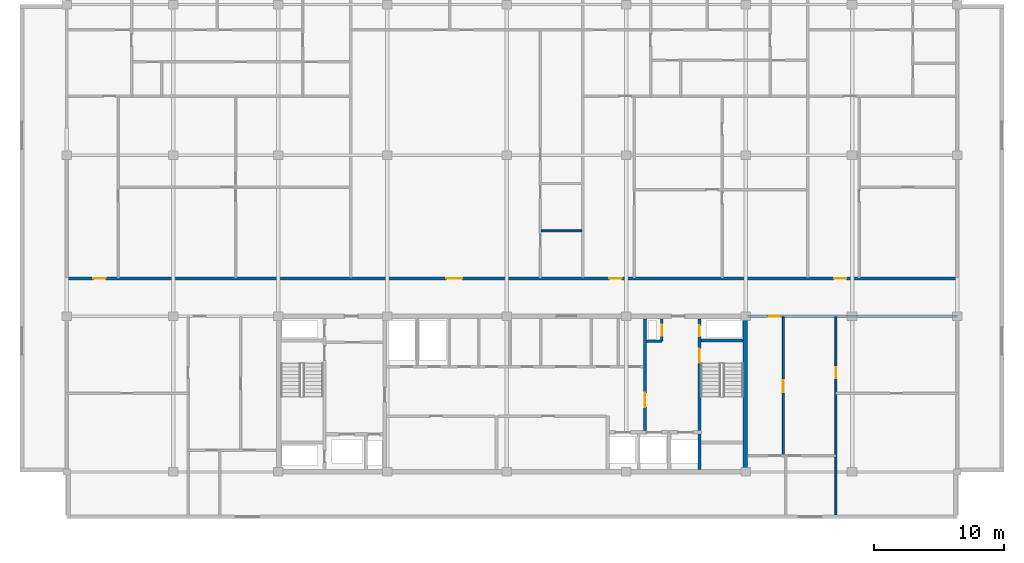
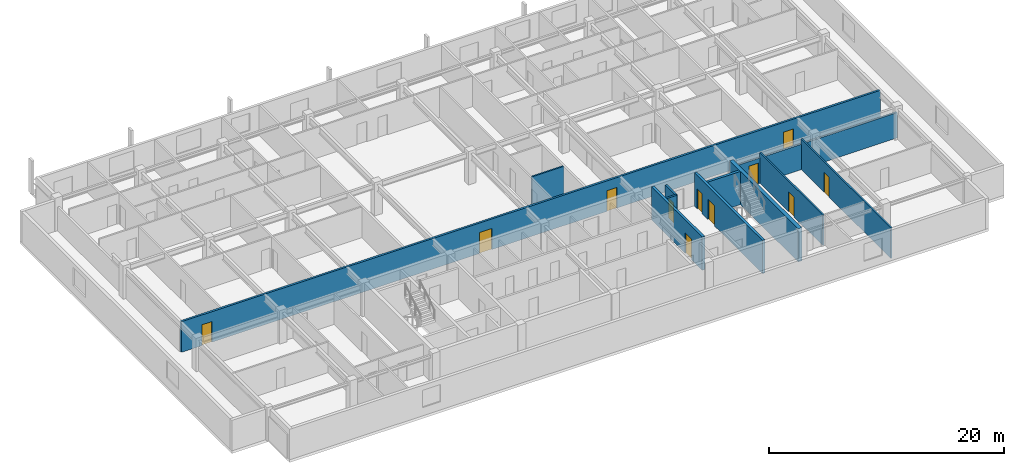
# One storey, part 5 of 10: 11 doors, 11 walls, 11 openings.
"""IFC4 building model written with IfcOpenShell, lengths in metres."""

from ifc_helpers import new_model, si_unit, direction, frame, frame_2d, origin, place, context, subcontext, project, spatial, rectangle, extrude, material, layer, layer_set, type_object, element, fill, save


model = new_model("IFC4")

# Units and contexts
model_context = context("Model", 3, precision=1e-05, world=origin(), true_north=direction((0.0, 1.0)))
body_context = subcontext(model_context, "Body", "Model", "MODEL_VIEW")
ifc_project = project(units=[si_unit("LENGTHUNIT", "METRE"), si_unit("AREAUNIT", "SQUARE_METRE"), si_unit("VOLUMEUNIT", "CUBIC_METRE"), si_unit("PLANEANGLEUNIT", "RADIAN"), si_unit("MASSUNIT", "GRAM", prefix="KILO")], contexts=[model_context])

# Site, building, storey
site_placement = place(None, origin())
site = spatial("IfcSite", under=ifc_project, at=site_placement, CompositionType="ELEMENT")
building_placement = place(site_placement, origin())
building = spatial("IfcBuilding", under=site, at=building_placement, Name="Korimba Cascade Residences", CompositionType="ELEMENT")
storey_placement = place(building_placement, frame((0.0, 0.0, 232.10009765625)))
storey = spatial("IfcBuildingStorey", under=building, at=storey_placement, Name="L67", CompositionType="ELEMENT", Elevation=232.10009765625)

# Wall
ifc_material_1 = material(Name="Concrete C65/80", Category="concrete")
ifc_layer_1 = layer(ifc_material_1, 0.35009765625)
ifc_layer_set_1 = layer_set([ifc_layer_1], Name="Concrete C65/80")
wall_type_1 = type_object("IfcWallType", Name="WAL-CORE-350", PredefinedType="SHEAR", material=ifc_layer_set_1)
wall_1_placement = place(storey_placement, frame((112.074951171875, 55.375, 0.0), z_axis=(0.0, 0.0, 1.0), x_axis=(0.0, 1.0, 0.0)))
element("IfcWall", 1, at=wall_1_placement, inside=storey, type_object=wall_type_1, Name="L67 Core Shear Wall CW-L67-T1-E", PredefinedType="SHEAR", context=body_context, shape_type="SweptSolid", body=[
    extrude(rectangle(XDim=11.64990234375, YDim=0.35009765625, at=frame_2d((5.824951171875, 0.0))), origin(), (0.0, 0.0, 1.0), 3.449951171875),
])

# Wall, opening, door
ifc_material_2 = material(Name="Precast concrete C40/50", Category="concrete")
ifc_layer_2 = layer(ifc_material_2, 0.199951171875)
ifc_layer_set_2 = layer_set([ifc_layer_2], Name="Precast concrete C40/50")
wall_type_2 = type_object("IfcWallType", Name="WAL-IT-200", PredefinedType="PARTITIONING", material=ifc_layer_set_2)
wall_2_placement = place(storey_placement, frame((112.25, 67.199951171875, 0.0), z_axis=(0.0, 0.0, 1.0), x_axis=(1.0, 0.0, 0.0)))
wall_2 = element("IfcWall", 2, at=wall_2_placement, inside=storey, type_object=wall_type_2, Name="L67 Partition Wall WAL-L67-T1-FE-N", PredefinedType="PARTITIONING", context=body_context, shape_type="SweptSolid", body=[
    extrude(rectangle(XDim=16.14990234375, YDim=0.199951171875, at=frame_2d((8.074951171875, 0.0))), origin(), (0.0, 0.0, 1.0), 2.63330078125),
])
opening_1_placement = place(wall_2_placement, frame((1.580078125, 0.0, 0.0)))
opening_1 = element("IfcOpeningElement", 3, at=opening_1_placement, cuts=wall_2, Name="Opening D-UN1", PredefinedType="OPENING", context=body_context, shape_type="SweptSolid", body=[
    extrude(rectangle(XDim=0.949951171875, YDim=2.14990234375, at=frame_2d((0.47509765625, 1.074951171875))), frame((0.0, 0.10986328125, 0.0), z_axis=(0.0, -1.0, 0.0), x_axis=(1.0, 0.0, 0.0)), (0.0, 0.0, 1.0), 0.219970703125),
])
ifc_material_3 = material(Name="Fire-Rated Hardwood Apartment Entrance Door", Category="wood")
door_type_1 = type_object("IfcDoorType", Name="DR-FD60-950", OperationType="NOTDEFINED", PredefinedType="DOOR", material=ifc_material_3)
door_1_placement = place(opening_1_placement, origin())
door_1 = element("IfcDoor", 4, at=door_1_placement, inside=storey, type_object=door_type_1, Name="L67-T1-FE Entrance Door", OperationType="SINGLE_SWING_LEFT", OverallHeight=2.14990234375, OverallWidth=0.949951171875, PredefinedType="DOOR", context=body_context, shape_type="SweptSolid", body=[
    extrude(rectangle(XDim=0.949951171875, YDim=2.14990234375, at=frame_2d((0.47509765625, 1.074951171875))), frame((0.0, 0.02490234375, 0.0), z_axis=(0.0, -1.0, 0.0), x_axis=(1.0, 0.0, 0.0)), (0.0, 0.0, 1.0), 0.050048828125),
])
fill(opening_1, door_1)

# Wall, openings, doors
wall_3_placement = place(storey_placement, frame((59.800048828125, 70.10009765625, 0.0), z_axis=(0.0, 0.0, 1.0), x_axis=(1.0, 0.0, 0.0)))
wall_3 = element("IfcWall", 5, at=wall_3_placement, inside=storey, type_object=wall_type_2, Name="L67 Partition Wall WAL-L67-T1-CORN", PredefinedType="PARTITIONING", context=body_context, shape_type="SweptSolid", body=[
    extrude(rectangle(XDim=68.599853515625, YDim=0.199951171875, at=frame_2d((34.2998046875, 0.0))), origin(), (0.0, 0.0, 1.0), 3.169921875),
])
opening_2_placement = place(wall_3_placement, frame((2.044921875, 0.0, 0.0)))
opening_2 = element("IfcOpeningElement", 6, at=opening_2_placement, cuts=wall_3, Name="Opening D-UN1", PredefinedType="OPENING", context=body_context, shape_type="SweptSolid", body=[
    extrude(rectangle(XDim=0.949951171875, YDim=2.14990234375, at=frame_2d((0.47509765625, 1.074951171875))), frame((0.0, 0.10986328125, 0.0), z_axis=(0.0, -1.0, 0.0), x_axis=(1.0, 0.0, 0.0)), (0.0, 0.0, 1.0), 0.219970703125),
])
opening_3_placement = place(wall_3_placement, frame((29.246337890625, 0.0, 0.0)))
opening_3 = element("IfcOpeningElement", 7, at=opening_3_placement, cuts=wall_3, Name="Opening D-AM1", PredefinedType="OPENING", context=body_context, shape_type="SweptSolid", body=[
    extrude(rectangle(XDim=1.219970703125, YDim=2.179931640625, at=frame_2d((0.60986328125, 1.08984375))), frame((0.0, 0.10986328125, 0.0), z_axis=(0.0, -1.0, 0.0), x_axis=(1.0, 0.0, 0.0)), (0.0, 0.0, 1.0), 0.219970703125),
])
opening_4_placement = place(wall_3_placement, frame((41.800537109375, 0.0, 0.0)))
opening_4 = element("IfcOpeningElement", 8, at=opening_4_placement, cuts=wall_3, Name="Opening D-UN1", PredefinedType="OPENING", context=body_context, shape_type="SweptSolid", body=[
    extrude(rectangle(XDim=0.949951171875, YDim=2.14990234375, at=frame_2d((0.47509765625, 1.074951171875))), frame((0.0, 0.10986328125, 0.0), z_axis=(0.0, -1.0, 0.0), x_axis=(1.0, 0.0, 0.0)), (0.0, 0.0, 1.0), 0.219970703125),
])
opening_5_placement = place(wall_3_placement, frame((59.114501953125, 0.0, 0.0)))
opening_5 = element("IfcOpeningElement", 9, at=opening_5_placement, cuts=wall_3, Name="Opening D-UN1", PredefinedType="OPENING", context=body_context, shape_type="SweptSolid", body=[
    extrude(rectangle(XDim=0.949951171875, YDim=2.14990234375, at=frame_2d((0.47509765625, 1.074951171875))), frame((0.0, 0.10986328125, 0.0), z_axis=(0.0, -1.0, 0.0), x_axis=(1.0, 0.0, 0.0)), (0.0, 0.0, 1.0), 0.219970703125),
])
ifc_material_4 = material(Name="Fire-Rated Glazed Timber Suite Door", Category="wood")
door_type_2 = type_object("IfcDoorType", Name="DR-FD60-1200", OperationType="NOTDEFINED", PredefinedType="DOOR", material=ifc_material_4)
door_2_placement = place(opening_3_placement, origin())
door_2 = element("IfcDoor", 10, at=door_2_placement, inside=storey, type_object=door_type_2, Name="L67-T1-U02 Resident Conference Room Door", OperationType="SINGLE_SWING_LEFT", OverallHeight=2.179931640625, OverallWidth=1.219970703125, PredefinedType="DOOR", context=body_context, shape_type="SweptSolid", body=[
    extrude(rectangle(XDim=1.219970703125, YDim=2.179931640625, at=frame_2d((0.60986328125, 1.08984375))), frame((0.0, 0.02490234375, 0.0), z_axis=(0.0, -1.0, 0.0), x_axis=(1.0, 0.0, 0.0)), (0.0, 0.0, 1.0), 0.050048828125),
])
fill(opening_3, door_2)
door_3_placement = place(opening_2_placement, origin())
door_3 = element("IfcDoor", 11, at=door_3_placement, inside=storey, type_object=door_type_1, Name="Unit L67-T1-U01 Entrance Door", OperationType="SINGLE_SWING_RIGHT", OverallHeight=2.14990234375, OverallWidth=0.949951171875, PredefinedType="DOOR", context=body_context, shape_type="SweptSolid", body=[
    extrude(rectangle(XDim=0.949951171875, YDim=2.14990234375, at=frame_2d((0.47509765625, 1.074951171875))), frame((0.0, 0.02490234375, 0.0), z_axis=(0.0, -1.0, 0.0), x_axis=(1.0, 0.0, 0.0)), (0.0, 0.0, 1.0), 0.050048828125),
])
fill(opening_2, door_3)
door_4_placement = place(opening_4_placement, origin())
door_4 = element("IfcDoor", 12, at=door_4_placement, inside=storey, type_object=door_type_1, Name="Unit L67-T1-U03 Entrance Door", OperationType="SINGLE_SWING_RIGHT", OverallHeight=2.14990234375, OverallWidth=0.949951171875, PredefinedType="DOOR", context=body_context, shape_type="SweptSolid", body=[
    extrude(rectangle(XDim=0.949951171875, YDim=2.14990234375, at=frame_2d((0.47509765625, 1.074951171875))), frame((0.0, 0.02490234375, 0.0), z_axis=(0.0, -1.0, 0.0), x_axis=(1.0, 0.0, 0.0)), (0.0, 0.0, 1.0), 0.050048828125),
])
fill(opening_4, door_4)
door_5_placement = place(opening_5_placement, origin())
door_5 = element("IfcDoor", 13, at=door_5_placement, inside=storey, type_object=door_type_1, Name="Unit L67-T1-U04 Entrance Door", OperationType="SINGLE_SWING_LEFT", OverallHeight=2.14990234375, OverallWidth=0.949951171875, PredefinedType="DOOR", context=body_context, shape_type="SweptSolid", body=[
    extrude(rectangle(XDim=0.949951171875, YDim=2.14990234375, at=frame_2d((0.47509765625, 1.074951171875))), frame((0.0, 0.02490234375, 0.0), z_axis=(0.0, -1.0, 0.0), x_axis=(1.0, 0.0, 0.0)), (0.0, 0.0, 1.0), 0.050048828125),
])
fill(opening_5, door_5)

# Wall, opening, door
ifc_material_5 = material(Name="Insulated Acoustic Stud Partition", Category="gypsum")
ifc_layer_3 = layer(ifc_material_5, 0.14990234375)
ifc_layer_set_3 = layer_set([ifc_layer_3], Name="Insulated Acoustic Stud Partition")
wall_type_3 = type_object("IfcWallType", Name="WAL-PART-150", PredefinedType="PARTITIONING", material=ifc_layer_set_3)
wall_4_placement = place(storey_placement, frame((119.050048828125, 51.89990234375, 0.0), z_axis=(0.0, 0.0, 1.0), x_axis=(0.0, 1.0, 0.0)))
wall_4 = element("IfcWall", 14, at=wall_4_placement, inside=storey, type_object=wall_type_3, Name="L67 Partition Wall WAL-L67-T1-FE-STV", PredefinedType="PARTITIONING", context=body_context, shape_type="SweptSolid", body=[
    extrude(rectangle(XDim=15.25, YDim=0.14990234375, at=frame_2d((7.625, 0.0))), origin(), (0.0, 0.0, 1.0), 3.169921875),
])
opening_6_placement = place(wall_4_placement, frame((10.5, 0.0, 0.0)))
opening_6 = element("IfcOpeningElement", 15, at=opening_6_placement, cuts=wall_4, Name="Opening D-IN2", PredefinedType="OPENING", context=body_context, shape_type="SweptSolid", body=[
    extrude(rectangle(XDim=0.8798828125, YDim=2.06005859375, at=frame_2d((0.43994140625, 1.030029296875))), frame((0.0, 0.0849609375, 0.0), z_axis=(0.0, -1.0, 0.0), x_axis=(1.0, 0.0, 0.0)), (0.0, 0.0, 1.0), 0.169921875),
])
ifc_material_6 = material(Name="Acoustic Timber Bedroom Door", Category="wood")
door_type_3 = type_object("IfcDoorType", Name="DR-INT-880", OperationType="NOTDEFINED", PredefinedType="DOOR", material=ifc_material_6)
door_6_placement = place(opening_6_placement, origin())
door_6 = element("IfcDoor", 16, at=door_6_placement, inside=storey, type_object=door_type_3, Name="L67-T1-FE Study Door", OperationType="SINGLE_SWING_LEFT", OverallHeight=2.06005859375, OverallWidth=0.8798828125, PredefinedType="DOOR", context=body_context, shape_type="SweptSolid", body=[
    extrude(rectangle(XDim=0.8798828125, YDim=2.06005859375, at=frame_2d((0.43994140625, 1.030029296875))), frame((0.0, 0.02490234375, 0.0), z_axis=(0.0, -1.0, 0.0), x_axis=(1.0, 0.0, 0.0)), (0.0, 0.0, 1.0), 0.050048828125),
])
fill(opening_6, door_6)

wall_5_placement = place(storey_placement, frame((115.0, 56.449951171875, 0.0), z_axis=(0.0, 0.0, 1.0), x_axis=(0.0, 1.0, 0.0)))
wall_5 = element("IfcWall", 17, at=wall_5_placement, inside=storey, type_object=wall_type_3, Name="L67 Partition Wall WAL-L67-T1-FE-VN", PredefinedType="PARTITIONING", context=body_context, shape_type="SweptSolid", body=[
    extrude(rectangle(XDim=10.699951171875, YDim=0.14990234375, at=frame_2d((5.35009765625, 0.0))), origin(), (0.0, 0.0, 1.0), 3.169921875),
])
opening_7_placement = place(wall_5_placement, frame((4.889892578125, 0.0, 0.0)))
opening_7 = element("IfcOpeningElement", 18, at=opening_7_placement, cuts=wall_5, Name="Opening D-IN1", PredefinedType="OPENING", context=body_context, shape_type="SweptSolid", body=[
    extrude(rectangle(XDim=0.919921875, YDim=2.080078125, at=frame_2d((0.4599609375, 1.0400390625))), frame((0.0, 0.0849609375, 0.0), z_axis=(0.0, -1.0, 0.0), x_axis=(1.0, 0.0, 0.0)), (0.0, 0.0, 1.0), 0.169921875),
])
ifc_material_7 = material(Name="Acoustic Timber Living Door", Category="wood")
door_type_4 = type_object("IfcDoorType", Name="DR-INT-920", OperationType="NOTDEFINED", PredefinedType="DOOR", material=ifc_material_7)
door_7_placement = place(opening_7_placement, origin())
door_7 = element("IfcDoor", 19, at=door_7_placement, inside=storey, type_object=door_type_4, Name="L67-T1-FE Living Door", OperationType="SINGLE_SWING_RIGHT", OverallHeight=2.080078125, OverallWidth=0.919921875, PredefinedType="DOOR", context=body_context, shape_type="SweptSolid", body=[
    extrude(rectangle(XDim=0.919921875, YDim=2.080078125, at=frame_2d((0.4599609375, 1.0400390625))), frame((0.0, 0.02490234375, 0.0), z_axis=(0.0, -1.0, 0.0), x_axis=(1.0, 0.0, 0.0)), (0.0, 0.0, 1.0), 0.050048828125),
])
fill(opening_7, door_7)

# Walls
wall_6_placement = place(storey_placement, frame((96.345703125, 73.77001953125, 0.0), z_axis=(0.0, 0.0, 1.0), x_axis=(1.0, 0.0, 0.0)))
element("IfcWall", 20, at=wall_6_placement, inside=storey, type_object=wall_type_3, Name="L67 Partition Wall WAL-L67-T1-U02-WCH", PredefinedType="PARTITIONING", context=body_context, shape_type="SweptSolid", body=[
    extrude(rectangle(XDim=3.1298828125, YDim=0.14990234375, at=frame_2d((1.56494140625, 0.0))), origin(), (0.0, 0.0, 1.0), 3.169921875),
])
ifc_material_8 = material(Name="Concrete C40/50", Category="concrete")
ifc_layer_4 = layer(ifc_material_8, 0.199951171875)
ifc_layer_set_4 = layer_set([ifc_layer_4], Name="Concrete C40/50")
wall_type_4 = type_object("IfcWallType", Name="WAL-PART-200", PredefinedType="PARTITIONING", material=ifc_layer_set_4)
wall_7_placement = place(storey_placement, frame((104.449951171875, 65.280029296875, 0.0), z_axis=(0.0, 0.0, 1.0), x_axis=(1.0, 0.0, 0.0)))
element("IfcWall", 21, at=wall_7_placement, inside=storey, type_object=wall_type_4, Name="L67 Partition Wall CW-L67-T1-HYDW2S", PredefinedType="PARTITIONING", context=body_context, shape_type="SweptSolid", body=[
    extrude(rectangle(XDim=1.199951171875, YDim=0.199951171875, at=frame_2d((0.60009765625, 0.0))), origin(), (0.0, 0.0, 1.0), 3.169921875),
])

# Wall, opening, door
wall_8_placement = place(storey_placement, frame((105.64990234375, 65.280029296875, 0.0), z_axis=(0.0, 0.0, 1.0), x_axis=(0.0, 1.0, 0.0)))
wall_8 = element("IfcWall", 22, at=wall_8_placement, inside=storey, type_object=wall_type_4, Name="L67 Partition Wall CW-L67-T1-HYDW2E", PredefinedType="PARTITIONING", context=body_context, shape_type="SweptSolid", body=[
    extrude(rectangle(XDim=1.719970703125, YDim=0.199951171875, at=frame_2d((0.85986328125, 0.0))), origin(), (0.0, 0.0, 1.0), 3.169921875),
])
opening_8_placement = place(wall_8_placement, frame((0.39990234375, 0.0, 0.0)))
opening_8 = element("IfcOpeningElement", 23, at=opening_8_placement, cuts=wall_8, Name="Opening D-RS1", PredefinedType="OPENING", context=body_context, shape_type="SweptSolid", body=[
    extrude(rectangle(XDim=0.85009765625, YDim=2.050048828125, at=frame_2d((0.425048828125, 1.02490234375))), frame((0.0, 0.10986328125, 0.0), z_axis=(0.0, -1.0, 0.0), x_axis=(1.0, 0.0, 0.0)), (0.0, 0.0, 1.0), 0.219970703125),
])
ifc_material_9 = material(Name="Fire-Rated Steel Riser Access Door", Category="steel")
door_type_5 = type_object("IfcDoorType", Name="DR-FD60-850", OperationType="NOTDEFINED", PredefinedType="DOOR", material=ifc_material_9)
door_8_placement = place(opening_8_placement, origin())
door_8 = element("IfcDoor", 24, at=door_8_placement, inside=storey, type_object=door_type_5, Name="L67 East Hydrant Door", OperationType="SINGLE_SWING_RIGHT", OverallHeight=2.050048828125, OverallWidth=0.85009765625, PredefinedType="DOOR", context=body_context, shape_type="SweptSolid", body=[
    extrude(rectangle(XDim=0.85009765625, YDim=2.050048828125, at=frame_2d((0.425048828125, 1.02490234375))), frame((0.0, 0.02490234375, 0.0), z_axis=(0.0, -1.0, 0.0), x_axis=(1.0, 0.0, 0.0)), (0.0, 0.0, 1.0), 0.050048828125),
])
fill(opening_8, door_8)

ifc_material_10 = material(Name="Concrete C50/60", Category="concrete")
ifc_layer_5 = layer(ifc_material_10, 0.25)
ifc_layer_set_5 = layer_set([ifc_layer_5], Name="Concrete C50/60")
wall_type_5 = type_object("IfcWallType", Name="WAL-SHAFT-250", PredefinedType="SHEAR", material=ifc_layer_set_5)
wall_9_placement = place(storey_placement, frame((104.35009765625, 58.39990234375, 0.0), z_axis=(0.0, 0.0, 1.0), x_axis=(0.0, 1.0, 0.0)))
wall_9 = element("IfcWall", 25, at=wall_9_placement, inside=storey, type_object=wall_type_5, Name="L67 Core Shear Wall CW-L67-T1-LLEV", PredefinedType="SHEAR", context=body_context, shape_type="SweptSolid", body=[
    extrude(rectangle(XDim=8.60009765625, YDim=0.25, at=frame_2d((4.300048828125, 0.0))), origin(), (0.0, 0.0, 1.0), 3.449951171875),
])
opening_9_placement = place(wall_9_placement, frame((1.800048828125, 0.0, 0.0)))
opening_9 = element("IfcOpeningElement", 26, at=opening_9_placement, cuts=wall_9, Name="Opening D-FD1", PredefinedType="OPENING", context=body_context, shape_type="SweptSolid", body=[
    extrude(rectangle(XDim=1.10009765625, YDim=2.10009765625, at=frame_2d((0.550048828125, 1.050048828125))), frame((0.0, 0.135009765625, 0.0), z_axis=(0.0, -1.0, 0.0), x_axis=(1.0, 0.0, 0.0)), (0.0, 0.0, 1.0), 0.27001953125),
])
ifc_material_11 = material(Name="Fire-Rated Steel Core Door", Category="steel")
door_type_6 = type_object("IfcDoorType", Name="DR-FD120-1100", OperationType="NOTDEFINED", PredefinedType="DOOR", material=ifc_material_11)
door_9_placement = place(opening_9_placement, origin())
door_9 = element("IfcDoor", 27, at=door_9_placement, inside=storey, type_object=door_type_6, Name="L67 Lift Lobby to East Firefighting Lobby Door", OperationType="SINGLE_SWING_LEFT", OverallHeight=2.10009765625, OverallWidth=1.10009765625, PredefinedType="DOOR", context=body_context, shape_type="SweptSolid", body=[
    extrude(rectangle(XDim=1.10009765625, YDim=2.10009765625, at=frame_2d((0.550048828125, 1.050048828125))), frame((0.0, 0.02490234375, 0.0), z_axis=(0.0, -1.0, 0.0), x_axis=(1.0, 0.0, 0.0)), (0.0, 0.0, 1.0), 0.050048828125),
])
fill(opening_9, door_9)

# Wall, openings, doors
wall_10_placement = place(storey_placement, frame((108.534912109375, 55.39990234375, 0.0), z_axis=(0.0, 0.0, 1.0), x_axis=(0.0, 1.0, 0.0)))
wall_10 = element("IfcWall", 28, at=wall_10_placement, inside=storey, type_object=wall_type_5, Name="L67 Core Shear Wall CW-L67-T1-STW2W", PredefinedType="SHEAR", context=body_context, shape_type="SweptSolid", body=[
    extrude(rectangle(XDim=11.60009765625, YDim=0.25, at=frame_2d((5.800048828125, 0.0))), origin(), (0.0, 0.0, 1.0), 3.449951171875),
])
opening_10_placement = place(wall_10_placement, frame((8.199951171875, 0.0, 0.0)))
opening_10 = element("IfcOpeningElement", 29, at=opening_10_placement, cuts=wall_10, Name="Opening D-FD1", PredefinedType="OPENING", context=body_context, shape_type="SweptSolid", body=[
    extrude(rectangle(XDim=1.10009765625, YDim=2.10009765625, at=frame_2d((0.550048828125, 1.050048828125))), frame((0.0, 0.135009765625, 0.0), z_axis=(0.0, -1.0, 0.0), x_axis=(1.0, 0.0, 0.0)), (0.0, 0.0, 1.0), 0.27001953125),
])
opening_11_placement = place(wall_10_placement, frame((10.25, 0.0, 0.0)))
opening_11 = element("IfcOpeningElement", 30, at=opening_11_placement, cuts=wall_10, Name="Opening D-RS1", PredefinedType="OPENING", context=body_context, shape_type="SweptSolid", body=[
    extrude(rectangle(XDim=0.85009765625, YDim=2.050048828125, at=frame_2d((0.425048828125, 1.02490234375))), frame((0.0, 0.135009765625, 0.0), z_axis=(0.0, -1.0, 0.0), x_axis=(1.0, 0.0, 0.0)), (0.0, 0.0, 1.0), 0.27001953125),
])
door_10_placement = place(opening_10_placement, origin())
door_10 = element("IfcDoor", 31, at=door_10_placement, inside=storey, type_object=door_type_6, Name="L67 Fire Stair ST-W2 Door", OperationType="SINGLE_SWING_RIGHT", OverallHeight=2.10009765625, OverallWidth=1.10009765625, PredefinedType="DOOR", context=body_context, shape_type="SweptSolid", body=[
    extrude(rectangle(XDim=1.10009765625, YDim=2.10009765625, at=frame_2d((0.550048828125, 1.050048828125))), frame((0.0, 0.02490234375, 0.0), z_axis=(0.0, -1.0, 0.0), x_axis=(1.0, 0.0, 0.0)), (0.0, 0.0, 1.0), 0.050048828125),
])
fill(opening_10, door_10)
door_11_placement = place(opening_11_placement, origin())
door_11 = element("IfcDoor", 32, at=door_11_placement, inside=storey, type_object=door_type_5, Name="L67 East Riser Door", OperationType="SINGLE_SWING_LEFT", OverallHeight=2.050048828125, OverallWidth=0.85009765625, PredefinedType="DOOR", context=body_context, shape_type="SweptSolid", body=[
    extrude(rectangle(XDim=0.85009765625, YDim=2.050048828125, at=frame_2d((0.425048828125, 1.02490234375))), frame((0.0, 0.02490234375, 0.0), z_axis=(0.0, -1.0, 0.0), x_axis=(1.0, 0.0, 0.0)), (0.0, 0.0, 1.0), 0.050048828125),
])
fill(opening_11, door_11)

# Wall
wall_11_placement = place(storey_placement, frame((108.659912109375, 65.324951171875, 0.0), z_axis=(0.0, 0.0, 1.0), x_axis=(1.0, 0.0, 0.0)))
element("IfcWall", 33, at=wall_11_placement, inside=storey, type_object=wall_type_5, Name="L67 Core Shear Wall CW-L67-T1-STW2N", PredefinedType="SHEAR", context=body_context, shape_type="SweptSolid", body=[
    extrude(rectangle(XDim=3.239990234375, YDim=0.25, at=frame_2d((1.6201171875, 0.0))), origin(), (0.0, 0.0, 1.0), 3.449951171875),
])

save(model, "model.ifc")
